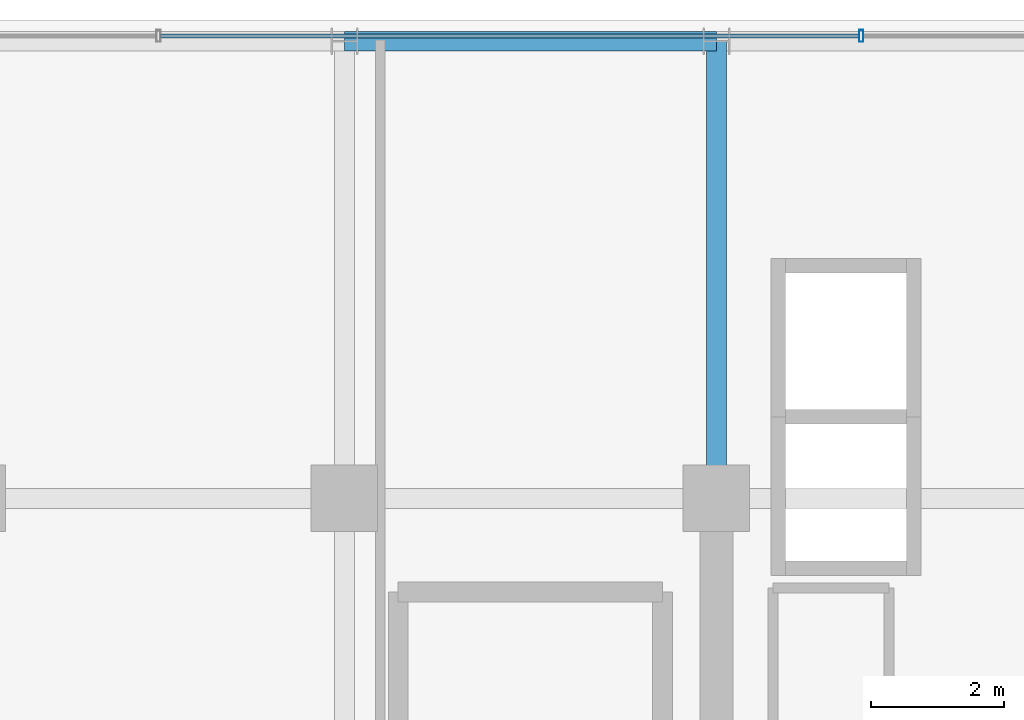
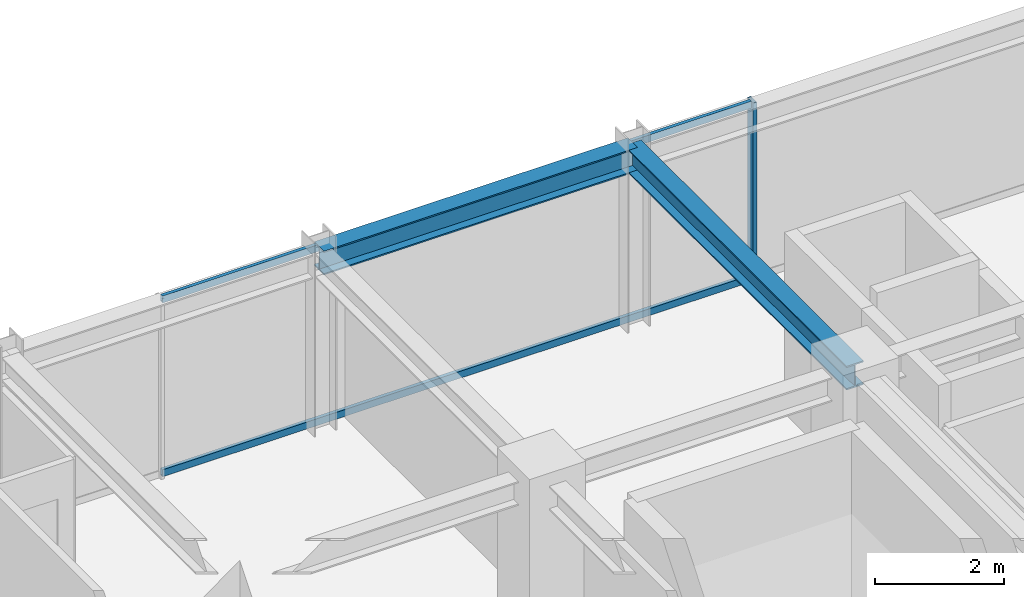
# One storey, part 25 of 35: 3 members, 2 beams, 1 element without a shape of its own.
"""IFC4 building model written with IfcOpenShell, lengths in metres."""

from ifc_helpers import new_model, si_unit, direction, frame, origin, origin_2d, place, context, subcontext, project, spatial, hollow_rectangle, i_section, extrude, source, transform, mapped, material, material_profile, profile_set, type_object, element, aggregate, save


model = new_model("IFC4")

# Units and contexts
model_context = context("Model", 3, precision=1e-05, world=origin(), true_north=direction((0.0, 1.0)))
body_context = subcontext(model_context, "Body", "Model", "MODEL_VIEW")
ifc_project = project(units=[si_unit("LENGTHUNIT", "METRE"), si_unit("AREAUNIT", "SQUARE_METRE"), si_unit("VOLUMEUNIT", "CUBIC_METRE"), si_unit("PLANEANGLEUNIT", "RADIAN"), si_unit("MASSUNIT", "GRAM", prefix="KILO")], contexts=[model_context])

# Site, building, storey
site_placement = place(None, origin())
site = spatial("IfcSite", under=ifc_project, at=site_placement, CompositionType="ELEMENT")
building_placement = place(site_placement, origin())
building = spatial("IfcBuilding", under=site, at=building_placement, Name="Nahalor Promenade Grand Hotel", CompositionType="ELEMENT")
storey_placement = place(building_placement, frame((0.0, 0.0, 216.0)))
storey = spatial("IfcBuildingStorey", under=building, at=storey_placement, Name="L55", CompositionType="ELEMENT", Elevation=216.0)

# Beams
ifc_material_1 = material(Name="Steel S355JR", Category="steel")
ifc_material_profile_1 = material_profile(ifc_material_1, i_section(OverallWidth=0.3, OverallDepth=0.45, WebThickness=0.014, FlangeThickness=0.026, at=origin_2d()), Name="HEB 450")
ifc_profile_set_1 = profile_set([ifc_material_profile_1], Name="Steel S355JR")
beam_type_1 = type_object("IfcBeamType", Name="Beam-Spandrel-HEB450", PredefinedType="SPANDREL", material=ifc_profile_set_1)
shared_shape_1 = source(origin(), body_context, "Body", "SweptSolid", [
    extrude(i_section(OverallWidth=0.3, OverallDepth=0.45, WebThickness=0.014, FlangeThickness=0.026, at=origin_2d()), origin(), (0.0, 0.0, 1.0), 5.599853515625),
])
beam_1_placement = place(storey_placement, frame((2.800048828125, 23.8798828125, 3.18505859375), z_axis=(1.0, 0.0, 0.0), x_axis=(0.0, 1.0, 0.0)))
element("IfcBeam", 1, at=beam_1_placement, inside=storey, type_object=beam_type_1, Name="BM-L55-SP-N-3", PredefinedType="SPANDREL", context=body_context, shape_type="MappedRepresentation", body=[
    mapped(shared_shape_1, transform((0.0, 0.0, 0.0), scale=1.0)),
])
ifc_material_profile_2 = material_profile(ifc_material_1, i_section(OverallWidth=0.3, OverallDepth=0.45, WebThickness=0.014, FlangeThickness=0.026, at=origin_2d()), Name="HEB 450")
ifc_profile_set_2 = profile_set([ifc_material_profile_2], Name="Steel S355JR")
beam_type_2 = type_object("IfcBeamType", Name="Beam-Girder-HEB450", PredefinedType="BEAM", material=ifc_profile_set_2)
shared_shape_2 = source(origin(), body_context, "Body", "SweptSolid", [
    extrude(i_section(OverallWidth=0.3, OverallDepth=0.45, WebThickness=0.014, FlangeThickness=0.026, at=origin_2d()), origin(), (0.0, 0.0, 1.0), 6.8798828125),
])
beam_2_placement = place(storey_placement, frame((8.39990234375, 17.0, 3.18505859375), z_axis=(0.0, 1.0, 0.0), x_axis=(-1.0, 0.0, 0.0)))
element("IfcBeam", 2, at=beam_2_placement, inside=storey, type_object=beam_type_2, Name="BM-L55-GY-4-4", PredefinedType="BEAM", context=body_context, shape_type="MappedRepresentation", body=[
    mapped(shared_shape_2, transform((0.0, 0.0, 0.0), scale=1.0)),
])

# Curtain wall, members
ifc_material_2 = material(Name="Anodised Bronze Aluminium EN AW-6063 T6", Category="aluminium")
curtain_wall_type = type_object("IfcCurtainWallType", Name="CW2 Typical Hotel Flush Bronze Unitised Curtain Wall", PredefinedType="USERDEFINED", material=ifc_material_2)
curtain_wall_placement = place(storey_placement, origin())
curtain_wall = element("IfcCurtainWall", 3, at=curtain_wall_placement, inside=storey, type_object=curtain_wall_type, Name="L55 Curtain Wall CW-L55-N-1", ObjectType="UNITISED_CURTAIN_WALL", PredefinedType="USERDEFINED")
ifc_material_profile_3 = material_profile(ifc_material_2, hollow_rectangle(XDim=0.065, YDim=0.13, WallThickness=0.004, at=origin_2d()), Name="CWT 65x130x4")
ifc_profile_set_3 = profile_set([ifc_material_profile_3], Name="Anodised Bronze Aluminium EN AW-6063 T6")
member_type_1 = type_object("IfcMemberType", Name="CWT2 Typical Bronze Transom 65x130", PredefinedType="USERDEFINED", material=ifc_profile_set_3)
shared_shape_3 = source(origin(), body_context, "Body", "SweptSolid", [
    extrude(hollow_rectangle(XDim=0.065, YDim=0.13, WallThickness=0.004, at=origin_2d()), origin(), (0.0, 0.0, 1.0), 10.51513671875),
])
member_1_placement = place(storey_placement, frame((0.032470703125, 23.9599609375, 0.06494140625), z_axis=(1.0, 0.0, 0.0), x_axis=(0.0, 1.0, 0.0)))
member_1 = element("IfcMember", 4, at=member_1_placement, type_object=member_type_1, Name="CW-L55-N-1 Transom 2-0", ObjectType="TRANSOM", PredefinedType="USERDEFINED", context=body_context, shape_type="MappedRepresentation", body=[
    mapped(shared_shape_3, transform((0.0, 0.0, 0.0), scale=1.0)),
])
member_2_placement = place(storey_placement, frame((0.032470703125, 23.9599609375, 3.344970703125), z_axis=(1.0, 0.0, 0.0), x_axis=(0.0, 1.0, 0.0)))
member_2 = element("IfcMember", 5, at=member_2_placement, type_object=member_type_1, Name="CW-L55-N-1 Transom 2-1", ObjectType="TRANSOM", PredefinedType="USERDEFINED", context=body_context, shape_type="MappedRepresentation", body=[
    mapped(shared_shape_3, transform((0.0, 0.0, 0.0), scale=1.0)),
])
ifc_material_profile_4 = material_profile(ifc_material_2, hollow_rectangle(XDim=0.065, YDim=0.18, WallThickness=0.004, at=origin_2d()), Name="CWM 65x180x4")
ifc_profile_set_4 = profile_set([ifc_material_profile_4], Name="Anodised Bronze Aluminium EN AW-6063 T6")
member_type_2 = type_object("IfcMemberType", Name="CWM2 Typical Bronze Mullion 65x180", PredefinedType="MULLION", material=ifc_profile_set_4)
shared_shape_4 = source(origin(), body_context, "Body", "SweptSolid", [
    extrude(hollow_rectangle(XDim=0.065, YDim=0.18, WallThickness=0.004, at=origin_2d()), origin(), (0.0, 0.0, 1.0), 3.409912109375),
])
member_3_placement = place(storey_placement, frame((10.580078125, 23.9599609375, 0.0), z_axis=(0.0, 0.0, 1.0), x_axis=(1.0, 0.0, 0.0)))
member_3 = element("IfcMember", 6, at=member_3_placement, type_object=member_type_2, Name="CW-L55-N-1 Mullion 3", PredefinedType="MULLION", context=body_context, shape_type="MappedRepresentation", body=[
    mapped(shared_shape_4, transform((0.0, 0.0, 0.0), scale=1.0)),
])
aggregate(curtain_wall, [member_3, member_1, member_2])

save(model, "model.ifc")
